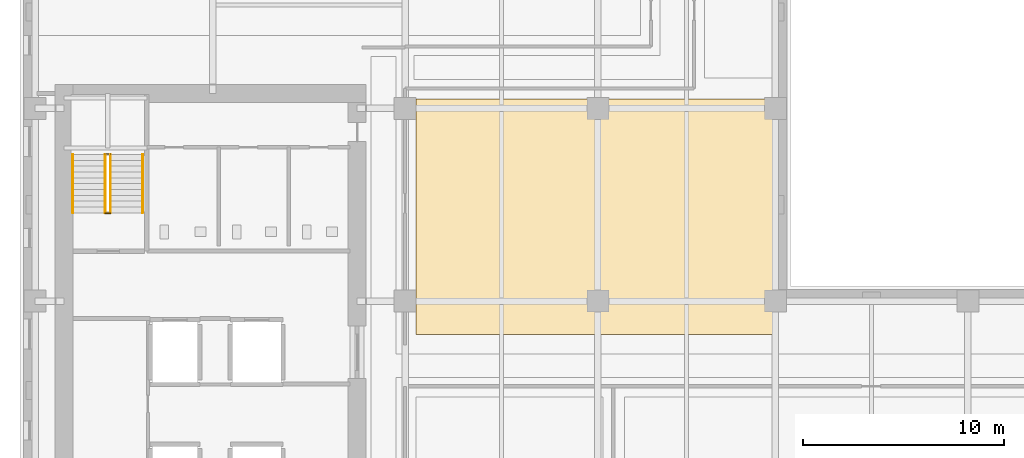
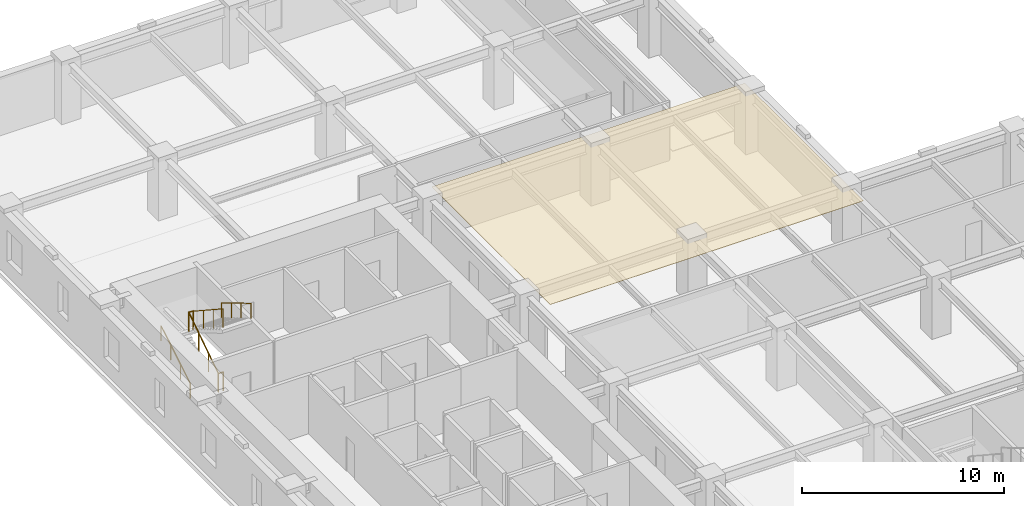
# One storey, part 13 of 15: 6 railings, 1 covering.
"""IFC4 building model written with IfcOpenShell, lengths in metres."""

from ifc_helpers import new_model, si_unit, direction, frame, origin, origin_2d, place, context, subcontext, project, spatial, polyline, circle, outline, extrude, material, layer, layer_set, type_object, element, save


model = new_model("IFC4")

# Units and contexts
model_context = context("Model", 3, precision=1e-05, world=origin(), true_north=direction((0.0, 1.0)))
body_context = subcontext(model_context, "Body", "Model", "MODEL_VIEW")
ifc_project = project(units=[si_unit("LENGTHUNIT", "METRE"), si_unit("AREAUNIT", "SQUARE_METRE"), si_unit("VOLUMEUNIT", "CUBIC_METRE"), si_unit("PLANEANGLEUNIT", "RADIAN"), si_unit("MASSUNIT", "GRAM", prefix="KILO")], contexts=[model_context])

# Site, building, storey
site_placement = place(None, origin())
site = spatial("IfcSite", under=ifc_project, at=site_placement, CompositionType="ELEMENT")
building_placement = place(site_placement, origin())
building = spatial("IfcBuilding", under=site, at=building_placement, Name="Norrvale University Quadrangle", CompositionType="ELEMENT")
storey_placement = place(building_placement, frame((0.0, 0.0, 88.800048828125)))
storey = spatial("IfcBuildingStorey", under=building, at=storey_placement, Name="L22", CompositionType="ELEMENT", Elevation=88.800048828125)

# Covering
ifc_material_1 = material(Name="Perforated Acoustic Mineral Ceiling")
ifc_layer = layer(ifc_material_1, 0.02490234375, Name="Perforated Acoustic Mineral Ceiling")
ifc_layer_set = layer_set([ifc_layer], Name="Perforated Acoustic Mineral Ceiling")
covering_type = type_object("IfcCoveringType", Name="Covering Acoustic Ceiling 25", PredefinedType="CEILING", material=ifc_layer_set)
covering_placement = place(storey_placement, frame((0.0, 0.0, 3.514892578125)))
element("IfcCovering", 1, at=covering_placement, inside=storey, type_object=covering_type, Name="Acoustic Ceiling RM-L22-MNE01", PredefinedType="CEILING", context=body_context, shape_type="SweptSolid", body=[
    extrude(outline(polyline([(19.72998046875, 47.719970703125), (37.64990234375, 47.719970703125), (37.64990234375, 35.97998046875), (19.72998046875, 35.97998046875), (19.72998046875, 47.719970703125)])), origin(), (0.0, 0.0, 1.0), 0.025146484375),
])

# Railings
ifc_material_2 = material(Name="Steel 350W Painted Balustrade", Category="steel")
railing_type_1 = type_object("IfcRailingType", Name="Railing Stair Guard 1100", PredefinedType="GUARDRAIL", material=ifc_material_2)
for number, where, name in (
    (2, (4.239990234375, 42.02001953125, 0.0), "Stair Floor Well Guard ST-02 L22"),
    (3, (4.239990234375, 44.97998046875, 1.89990234375), "Stair Mid-Landing Slot Guard ST-02 L22"),
):
    element("IfcRailing", number, at=place(storey_placement, frame(where)), inside=storey, type_object=railing_type_1, Name=name, PredefinedType="GUARDRAIL", context=body_context, shape_type="SweptSolid", body=[
        extrude(circle(Radius=0.02392578125, at=origin_2d()), frame((0.0, 0.0, 1.1259765625), z_axis=(1.0, 0.0, 0.0), x_axis=(0.0, 1.0, 0.0)), (0.0, 0.0, 1.0), 0.27001953125),
        extrude(circle(Radius=0.02099609375, at=origin_2d()), origin(), (0.0, 0.0, 1.0), 1.101806640625),
        extrude(circle(Radius=0.02099609375, at=origin_2d()), frame((0.27001953125, 0.0, 0.0)), (0.0, 0.0, 1.0), 1.101806640625),
    ])
railing_1_placement = place(storey_placement, frame((4.239990234375, 42.050048828125, 0.0)))
element("IfcRailing", 4, at=railing_1_placement, inside=storey, type_object=railing_type_1, Name="Stair Lower Flight Inner Guard ST-02 L22", PredefinedType="GUARDRAIL", context=body_context, shape_type="SweptSolid", body=[
    extrude(circle(Radius=0.02392578125, at=origin_2d()), frame((0.0, 0.0, 1.1259765625), z_axis=(0.0, 0.836465582154, 0.548019461216), x_axis=(-1.0, 0.0, 0.0)), (0.0, 0.0, 1.0), 3.466796875),
    extrude(circle(Radius=0.02099609375, at=origin_2d()), origin(), (0.0, 0.0, 1.0), 1.101806640625),
    extrude(circle(Radius=0.02099609375, at=origin_2d()), frame((0.0, 0.966552734375, 0.63330078125)), (0.0, 0.0, 1.0), 1.101806640625),
    extrude(circle(Radius=0.02099609375, at=origin_2d()), frame((0.0, 1.933349609375, 1.2666015625)), (0.0, 0.0, 1.0), 1.101806640625),
    extrude(circle(Radius=0.02099609375, at=origin_2d()), frame((0.0, 2.89990234375, 1.89990234375)), (0.0, 0.0, 1.0), 1.101806640625),
])
railing_2_placement = place(storey_placement, frame((4.510009765625, 44.949951171875, 1.89990234375)))
element("IfcRailing", 5, at=railing_2_placement, inside=storey, type_object=railing_type_1, Name="Stair Upper Flight Inner Guard ST-02 L22", PredefinedType="GUARDRAIL", context=body_context, shape_type="SweptSolid", body=[
    extrude(circle(Radius=0.02392578125, at=origin_2d()), frame((0.0, 0.0, 1.1259765625), z_axis=(0.0, -0.836433300813, 0.548068730445), x_axis=(1.0, 0.0, 0.0)), (0.0, 0.0, 1.0), 3.467041015625),
    extrude(circle(Radius=0.02099609375, at=origin_2d()), origin(), (0.0, 0.0, 1.0), 1.101806640625),
    extrude(circle(Radius=0.02099609375, at=origin_2d()), frame((0.0, -0.966552734375, 0.63330078125)), (0.0, 0.0, 1.0), 1.101806640625),
    extrude(circle(Radius=0.02099609375, at=origin_2d()), frame((0.0, -1.933349609375, 1.266845703125)), (0.0, 0.0, 1.0), 1.101806640625),
    extrude(circle(Radius=0.02099609375, at=origin_2d()), frame((0.0, -2.89990234375, 1.900146484375)), (0.0, 0.0, 1.0), 1.101806640625),
])
ifc_material_3 = material(Name="Stainless Steel 316L Handrail", Category="steel")
railing_type_2 = type_object("IfcRailingType", Name="Railing Stair Handrail 920", PredefinedType="HANDRAIL", material=ifc_material_3)
railing_3_placement = place(storey_placement, frame((2.639892578125, 42.050048828125, 0.172607421875)))
element("IfcRailing", 6, at=railing_3_placement, inside=storey, type_object=railing_type_2, Name="Stair Lower Flight Handrail ST-02 L22", PredefinedType="HANDRAIL", context=body_context, shape_type="SweptSolid", body=[
    extrude(circle(Radius=0.02392578125, at=origin_2d()), frame((0.0, 0.0, 0.89599609375), z_axis=(0.0, 0.859141464434, 0.511738159696), x_axis=(-1.0, 0.0, 0.0)), (0.0, 0.0, 1.0), 3.375244140625),
    extrude(circle(Radius=0.02099609375, at=origin_2d()), origin(), (0.0, 0.0, 1.0), 0.871826171875),
    extrude(circle(Radius=0.02099609375, at=origin_2d()), frame((0.0, 0.966552734375, 0.57568359375)), (0.0, 0.0, 1.0), 0.871826171875),
    extrude(circle(Radius=0.02099609375, at=origin_2d()), frame((0.0, 1.933349609375, 1.151611328125)), (0.0, 0.0, 1.0), 0.871826171875),
    extrude(circle(Radius=0.02099609375, at=origin_2d()), frame((0.0, 2.89990234375, 1.727294921875)), (0.0, 0.0, 1.0), 0.871826171875),
])
railing_4_placement = place(storey_placement, frame((6.110107421875, 44.949951171875, 2.07275390625)))
element("IfcRailing", 7, at=railing_4_placement, inside=storey, type_object=railing_type_2, Name="Stair Upper Flight Handrail ST-02 L22", PredefinedType="HANDRAIL", context=body_context, shape_type="SweptSolid", body=[
    extrude(circle(Radius=0.02392578125, at=origin_2d()), frame((0.0, 0.0, 0.89599609375), z_axis=(0.0, -0.859141464434, 0.511738159696), x_axis=(1.0, 0.0, 0.0)), (0.0, 0.0, 1.0), 3.375244140625),
    extrude(circle(Radius=0.02099609375, at=origin_2d()), origin(), (0.0, 0.0, 1.0), 0.871826171875),
    extrude(circle(Radius=0.02099609375, at=origin_2d()), frame((0.0, -0.966552734375, 0.57568359375)), (0.0, 0.0, 1.0), 0.871826171875),
    extrude(circle(Radius=0.02099609375, at=origin_2d()), frame((0.0, -1.933349609375, 1.151611328125)), (0.0, 0.0, 1.0), 0.871826171875),
    extrude(circle(Radius=0.02099609375, at=origin_2d()), frame((0.0, -2.89990234375, 1.727294921875)), (0.0, 0.0, 1.0), 0.871826171875),
])

save(model, "model.ifc")
